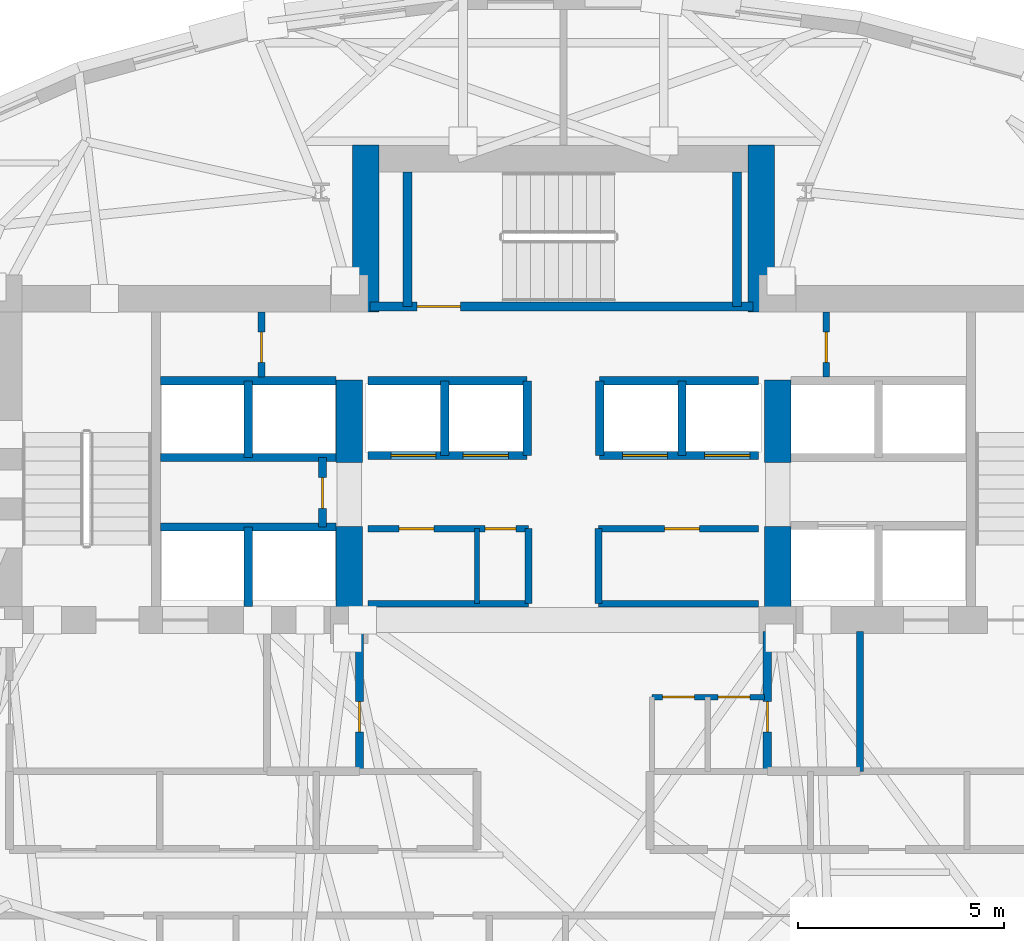
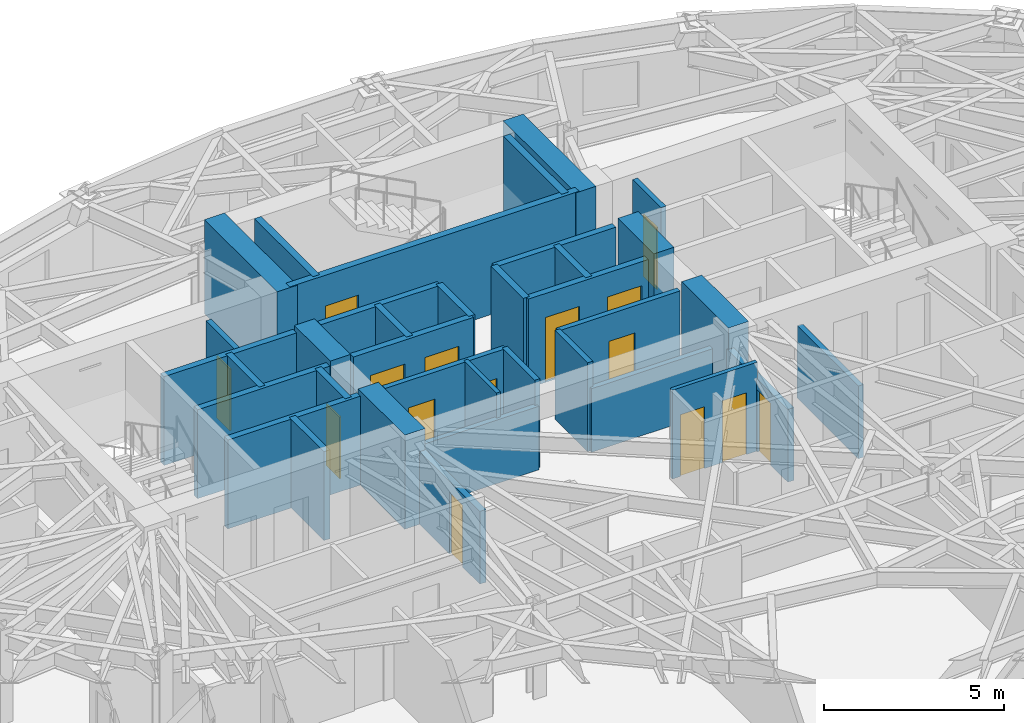
# One storey, part 8 of 15: 36 walls, 15 doors, 15 openings.
"""IFC4 building model written with IfcOpenShell, lengths in metres."""

from ifc_helpers import new_model, si_unit, direction, frame, frame_2d, origin, place, context, subcontext, project, spatial, rectangle, extrude, material, layer, layer_set, type_object, element, fill, save


model = new_model("IFC4")

# Units and contexts
model_context = context("Model", 3, precision=1e-05, world=origin(), true_north=direction((0.0, 1.0)))
body_context = subcontext(model_context, "Body", "Model", "MODEL_VIEW")
ifc_project = project(units=[si_unit("LENGTHUNIT", "METRE"), si_unit("AREAUNIT", "SQUARE_METRE"), si_unit("VOLUMEUNIT", "CUBIC_METRE"), si_unit("PLANEANGLEUNIT", "RADIAN"), si_unit("MASSUNIT", "GRAM", prefix="KILO")], contexts=[model_context])

# Site, building, storey
site_placement = place(None, origin())
site = spatial("IfcSite", under=ifc_project, at=site_placement, CompositionType="ELEMENT")
building_placement = place(site_placement, origin())
building = spatial("IfcBuilding", under=site, at=building_placement, Name="Keldmark Tower", CompositionType="ELEMENT")
storey_placement = place(building_placement, frame((0.0, 0.0, 163.0)))
storey = spatial("IfcBuildingStorey", under=building, at=storey_placement, Name="L44", CompositionType="ELEMENT", Elevation=163.0)

# Wall, openings, doors
ifc_material_1 = material(Name="Acoustic Gypsum Board Interior Partition", Category="gypsum")
ifc_layer_1 = layer(ifc_material_1, 0.1298828125)
ifc_layer_set_1 = layer_set([ifc_layer_1], Name="Acoustic Gypsum Board Interior Partition")
wall_type_1 = type_object("IfcWallType", Name="Interior Partition 130 mm", PredefinedType="PARTITIONING", material=ifc_layer_set_1)
wall_1_placement = place(storey_placement, frame((2.14990234375, -0.35009765625, 0.0), z_axis=(0.0, 0.0, 1.0), x_axis=(1.0, 0.0, 0.0)))
wall_1 = element("IfcWall", 1, at=wall_1_placement, inside=storey, type_object=wall_type_1, Name="L44 Interior Partition 130 mm CSC-E-N", PredefinedType="PARTITIONING", context=body_context, shape_type="SweptSolid", body=[
    extrude(rectangle(XDim=2.72998046875, YDim=0.1298828125, at=frame_2d((1.364990234375, 0.0))), origin(), (0.0, 0.0, 1.0), 3.02001953125),
])
opening_1_placement = place(wall_1_placement, frame((0.25, 0.0, 0.0)))
opening_1 = element("IfcOpeningElement", 2, at=opening_1_placement, cuts=wall_1, Name="Opening D-CL078", PredefinedType="OPENING", context=body_context, shape_type="SweptSolid", body=[
    extrude(rectangle(XDim=0.780029296875, YDim=2.10009765625, at=frame_2d((0.39013671875, 1.050048828125))), frame((0.0, 0.074951171875, 0.0), z_axis=(0.0, -1.0, 0.0), x_axis=(1.0, 0.0, 0.0)), (0.0, 0.0, 1.0), 0.14990234375),
])
opening_2_placement = place(wall_1_placement, frame((1.60009765625, 0.0, 0.0)))
opening_2 = element("IfcOpeningElement", 3, at=opening_2_placement, cuts=wall_1, Name="Opening D-CL078", PredefinedType="OPENING", context=body_context, shape_type="SweptSolid", body=[
    extrude(rectangle(XDim=0.780029296875, YDim=2.10009765625, at=frame_2d((0.39013671875, 1.050048828125))), frame((0.0, 0.074951171875, 0.0), z_axis=(0.0, -1.0, 0.0), x_axis=(1.0, 0.0, 0.0)), (0.0, 0.0, 1.0), 0.14990234375),
])
ifc_material_2 = material(Name="Flush Utility Closet Timber Door", Category="wood")
door_type_1 = type_object("IfcDoorType", Name="Closet Door 780x2100", OperationType="NOTDEFINED", PredefinedType="DOOR", material=ifc_material_2)
door_1_placement = place(opening_1_placement, origin())
door_1 = element("IfcDoor", 4, at=door_1_placement, inside=storey, type_object=door_type_1, Name="L44 Closet Door 780x2100 D-CSCE1-L44", OperationType="SINGLE_SWING_RIGHT", OverallHeight=2.10009765625, OverallWidth=0.780029296875, PredefinedType="DOOR", context=body_context, shape_type="SweptSolid", body=[
    extrude(rectangle(XDim=0.780029296875, YDim=2.10009765625, at=frame_2d((0.39013671875, 1.050048828125))), frame((0.0, 0.02490234375, 0.0), z_axis=(0.0, -1.0, 0.0), x_axis=(1.0, 0.0, 0.0)), (0.0, 0.0, 1.0), 0.050048828125),
])
fill(opening_1, door_1)
door_2_placement = place(opening_2_placement, origin())
door_2 = element("IfcDoor", 5, at=door_2_placement, inside=storey, type_object=door_type_1, Name="L44 Closet Door 780x2100 D-CSCE2-L44", OperationType="SINGLE_SWING_RIGHT", OverallHeight=2.10009765625, OverallWidth=0.780029296875, PredefinedType="DOOR", context=body_context, shape_type="SweptSolid", body=[
    extrude(rectangle(XDim=0.780029296875, YDim=2.10009765625, at=frame_2d((0.39013671875, 1.050048828125))), frame((0.0, 0.02490234375, 0.0), z_axis=(0.0, -1.0, 0.0), x_axis=(1.0, 0.0, 0.0)), (0.0, 0.0, 1.0), 0.050048828125),
])
fill(opening_2, door_2)

# Walls
wall_2_placement = place(storey_placement, frame((-2.10009765625, 1.919921875, 0.0), z_axis=(0.0, 0.0, 1.0), x_axis=(0.0, 1.0, 0.0)))
element("IfcWall", 6, at=wall_2_placement, inside=storey, type_object=wall_type_1, Name="L44 Interior Partition 130 mm REC-LW-M", PredefinedType="PARTITIONING", context=body_context, shape_type="SweptSolid", body=[
    extrude(rectangle(XDim=1.820068359375, YDim=0.1298828125, at=frame_2d((0.91015625, 0.0))), origin(), (0.0, 0.0, 1.0), 3.02001953125),
])
ifc_material_3 = material(Name="Type X Fire-Rated Gypsum Partition Assembly", Category="gypsum")
ifc_layer_2 = layer(ifc_material_3, 0.1650390625)
ifc_layer_set_2 = layer_set([ifc_layer_2], Name="Type X Fire-Rated Gypsum Partition Assembly")
wall_type_2 = type_object("IfcWallType", Name="Rated Partition 165 mm", PredefinedType="PARTITIONING", material=ifc_layer_set_2)
wall_3_placement = place(storey_placement, frame((7.199951171875, -2.14990234375, 0.0), z_axis=(0.0, 0.0, 1.0), x_axis=(0.0, 1.0, 0.0)))
element("IfcWall", 7, at=wall_3_placement, inside=storey, type_object=wall_type_2, Name="L44 Rated Partition 165 mm FSAE-E-W", PredefinedType="PARTITIONING", context=body_context, shape_type="SweptSolid", body=[
    extrude(rectangle(XDim=3.39990234375, YDim=0.1650390625, at=frame_2d((1.699951171875, 0.0))), origin(), (0.0, 0.0, 1.0), 2.472900390625),
])
wall_4_placement = place(storey_placement, frame((-4.739990234375, 1.919921875, 0.0), z_axis=(0.0, 0.0, 1.0), x_axis=(1.0, 0.0, 0.0)))
element("IfcWall", 8, at=wall_4_placement, inside=storey, type_object=wall_type_2, Name="L44 Rated Partition 165 mm REC-LW-S", PredefinedType="PARTITIONING", context=body_context, shape_type="SweptSolid", body=[
    extrude(rectangle(XDim=3.889892578125, YDim=0.1650390625, at=frame_2d((1.94482421875, 0.0))), origin(), (0.0, 0.0, 1.0), 2.159912109375),
])

# Wall, openings, doors
wall_5_placement = place(storey_placement, frame((-4.739990234375, 3.739990234375, 0.0), z_axis=(0.0, 0.0, 1.0), x_axis=(1.0, 0.0, 0.0)))
wall_5 = element("IfcWall", 9, at=wall_5_placement, inside=storey, type_object=wall_type_2, Name="L44 Rated Partition 165 mm REC-LW-N", PredefinedType="PARTITIONING", context=body_context, shape_type="SweptSolid", body=[
    extrude(rectangle(XDim=3.889892578125, YDim=0.1650390625, at=frame_2d((1.94482421875, 0.0))), origin(), (0.0, 0.0, 1.0), 3.02001953125),
])
opening_3_placement = place(wall_5_placement, frame((0.75, 0.0, 0.0)))
opening_3 = element("IfcOpeningElement", 10, at=opening_3_placement, cuts=wall_5, Name="Opening D-SV085", PredefinedType="OPENING", context=body_context, shape_type="SweptSolid", body=[
    extrude(rectangle(XDim=0.85009765625, YDim=2.10009765625, at=frame_2d((0.425048828125, 1.050048828125))), frame((0.0, 0.092529296875, 0.0), z_axis=(0.0, -1.0, 0.0), x_axis=(1.0, 0.0, 0.0)), (0.0, 0.0, 1.0), 0.18505859375),
])
opening_4_placement = place(wall_5_placement, frame((2.840087890625, 0.0, 0.0)))
opening_4 = element("IfcOpeningElement", 11, at=opening_4_placement, cuts=wall_5, Name="Opening D-RS075", PredefinedType="OPENING", context=body_context, shape_type="SweptSolid", body=[
    extrude(rectangle(XDim=0.75, YDim=2.10009765625, at=frame_2d((0.375, 1.050048828125))), frame((0.0, 0.092529296875, 0.0), z_axis=(0.0, -1.0, 0.0), x_axis=(1.0, 0.0, 0.0)), (0.0, 0.0, 1.0), 0.18505859375),
])
ifc_material_4 = material(Name="Galvanized Fire-Rated Access Leaf", Category="metal")
door_type_2 = type_object("IfcDoorType", Name="Riser Access Door 750x2100", OperationType="NOTDEFINED", PredefinedType="DOOR", material=ifc_material_4)
door_3_placement = place(opening_4_placement, origin())
door_3 = element("IfcDoor", 12, at=door_3_placement, inside=storey, type_object=door_type_2, Name="L44 Riser Access Door 750x2100 D-RECLW2-L44", OperationType="SINGLE_SWING_RIGHT", OverallHeight=2.10009765625, OverallWidth=0.75, PredefinedType="DOOR", context=body_context, shape_type="SweptSolid", body=[
    extrude(rectangle(XDim=0.75, YDim=2.10009765625, at=frame_2d((0.375, 1.050048828125))), frame((0.0, 0.02490234375, 0.0), z_axis=(0.0, -1.0, 0.0), x_axis=(1.0, 0.0, 0.0)), (0.0, 0.0, 1.0), 0.050048828125),
])
fill(opening_4, door_3)
ifc_material_5 = material(Name="Painted Hollow Metal Door Assembly", Category="metal")
door_type_3 = type_object("IfcDoorType", Name="Service Door 850x2100", OperationType="NOTDEFINED", PredefinedType="DOOR", material=ifc_material_5)
door_4_placement = place(opening_3_placement, origin())
door_4 = element("IfcDoor", 13, at=door_4_placement, inside=storey, type_object=door_type_3, Name="L44 Service Door 850x2100 D-RECLW1-L44", OperationType="SINGLE_SWING_LEFT", OverallHeight=2.10009765625, OverallWidth=0.85009765625, PredefinedType="DOOR", context=body_context, shape_type="SweptSolid", body=[
    extrude(rectangle(XDim=0.85009765625, YDim=2.10009765625, at=frame_2d((0.425048828125, 1.050048828125))), frame((0.0, 0.02490234375, 0.0), z_axis=(0.0, -1.0, 0.0), x_axis=(1.0, 0.0, 0.0)), (0.0, 0.0, 1.0), 0.050048828125),
])
fill(opening_3, door_4)

# Walls
wall_6_placement = place(storey_placement, frame((-0.85009765625, 1.919921875, 0.0), z_axis=(0.0, 0.0, 1.0), x_axis=(0.0, 1.0, 0.0)))
element("IfcWall", 14, at=wall_6_placement, inside=storey, type_object=wall_type_2, Name="L44 Rated Partition 165 mm REC-LW-E", PredefinedType="PARTITIONING", context=body_context, shape_type="SweptSolid", body=[
    extrude(rectangle(XDim=1.820068359375, YDim=0.1650390625, at=frame_2d((0.91015625, 0.0))), origin(), (0.0, 0.0, 1.0), 3.02001953125),
])
wall_7_placement = place(storey_placement, frame((0.85009765625, 1.919921875, 0.0), z_axis=(0.0, 0.0, 1.0), x_axis=(1.0, 0.0, 0.0)))
element("IfcWall", 15, at=wall_7_placement, inside=storey, type_object=wall_type_2, Name="L44 Rated Partition 165 mm REC-LE-S", PredefinedType="PARTITIONING", context=body_context, shape_type="SweptSolid", body=[
    extrude(rectangle(XDim=3.889892578125, YDim=0.1650390625, at=frame_2d((1.94482421875, 0.0))), origin(), (0.0, 0.0, 1.0), 2.159912109375),
])

# Wall, opening, door
wall_8_placement = place(storey_placement, frame((0.85009765625, 3.739990234375, 0.0), z_axis=(0.0, 0.0, 1.0), x_axis=(1.0, 0.0, 0.0)))
wall_8 = element("IfcWall", 16, at=wall_8_placement, inside=storey, type_object=wall_type_2, Name="L44 Rated Partition 165 mm REC-LE-N", PredefinedType="PARTITIONING", context=body_context, shape_type="SweptSolid", body=[
    extrude(rectangle(XDim=3.889892578125, YDim=0.1650390625, at=frame_2d((1.94482421875, 0.0))), origin(), (0.0, 0.0, 1.0), 3.02001953125),
])
opening_5_placement = place(wall_8_placement, frame((1.60009765625, 0.0, 0.0)))
opening_5 = element("IfcOpeningElement", 17, at=opening_5_placement, cuts=wall_8, Name="Opening D-SV085", PredefinedType="OPENING", context=body_context, shape_type="SweptSolid", body=[
    extrude(rectangle(XDim=0.85009765625, YDim=2.10009765625, at=frame_2d((0.425048828125, 1.050048828125))), frame((0.0, 0.092529296875, 0.0), z_axis=(0.0, -1.0, 0.0), x_axis=(1.0, 0.0, 0.0)), (0.0, 0.0, 1.0), 0.18505859375),
])
door_5_placement = place(opening_5_placement, origin())
door_5 = element("IfcDoor", 18, at=door_5_placement, inside=storey, type_object=door_type_3, Name="L44 Service Door 850x2100 D-RECLE1-L44", OperationType="SINGLE_SWING_LEFT", OverallHeight=2.10009765625, OverallWidth=0.85009765625, PredefinedType="DOOR", context=body_context, shape_type="SweptSolid", body=[
    extrude(rectangle(XDim=0.85009765625, YDim=2.10009765625, at=frame_2d((0.425048828125, 1.050048828125))), frame((0.0, 0.02490234375, 0.0), z_axis=(0.0, -1.0, 0.0), x_axis=(1.0, 0.0, 0.0)), (0.0, 0.0, 1.0), 0.050048828125),
])
fill(opening_5, door_5)

# Wall
wall_9_placement = place(storey_placement, frame((0.85009765625, 1.919921875, 0.0), z_axis=(0.0, 0.0, 1.0), x_axis=(0.0, 1.0, 0.0)))
element("IfcWall", 19, at=wall_9_placement, inside=storey, type_object=wall_type_2, Name="L44 Rated Partition 165 mm REC-LE-W", PredefinedType="PARTITIONING", context=body_context, shape_type="SweptSolid", body=[
    extrude(rectangle(XDim=1.820068359375, YDim=0.1650390625, at=frame_2d((0.91015625, 0.0))), origin(), (0.0, 0.0, 1.0), 3.02001953125),
])

# Wall, opening, door
wall_10_placement = place(storey_placement, frame((-7.330078125, 7.419921875, 0.0), z_axis=(0.0, 0.0, 1.0), x_axis=(0.0, 1.0, 0.0)))
wall_10 = element("IfcWall", 20, at=wall_10_placement, inside=storey, type_object=wall_type_2, Name="L44 Rated Partition 165 mm CS-NW-E", PredefinedType="PARTITIONING", context=body_context, shape_type="SweptSolid", body=[
    extrude(rectangle(XDim=1.580078125, YDim=0.1650390625, at=frame_2d((0.7900390625, 0.0))), origin(), (0.0, 0.0, 1.0), 3.02001953125),
])
opening_6_placement = place(wall_10_placement, frame((0.35009765625, 0.0, 0.0)))
opening_6 = element("IfcOpeningElement", 21, at=opening_6_placement, cuts=wall_10, Name="Opening D-RS075", PredefinedType="OPENING", context=body_context, shape_type="SweptSolid", body=[
    extrude(rectangle(XDim=0.75, YDim=2.10009765625, at=frame_2d((0.375, 1.050048828125))), frame((0.0, 0.092529296875, 0.0), z_axis=(0.0, -1.0, 0.0), x_axis=(1.0, 0.0, 0.0)), (0.0, 0.0, 1.0), 0.18505859375),
])
door_6_placement = place(opening_6_placement, origin())
door_6 = element("IfcDoor", 22, at=door_6_placement, inside=storey, type_object=door_type_2, Name="L44 Riser Access Door 750x2100 D-CSNW1-L44", OperationType="SINGLE_SWING_RIGHT", OverallHeight=2.10009765625, OverallWidth=0.75, PredefinedType="DOOR", context=body_context, shape_type="SweptSolid", body=[
    extrude(rectangle(XDim=0.75, YDim=2.10009765625, at=frame_2d((0.375, 1.050048828125))), frame((0.0, 0.02490234375, 0.0), z_axis=(0.0, -1.0, 0.0), x_axis=(1.0, 0.0, 0.0)), (0.0, 0.0, 1.0), 0.050048828125),
])
fill(opening_6, door_6)

wall_11_placement = place(storey_placement, frame((6.3798828125, 7.419921875, 0.0), z_axis=(0.0, 0.0, 1.0), x_axis=(0.0, 1.0, 0.0)))
wall_11 = element("IfcWall", 23, at=wall_11_placement, inside=storey, type_object=wall_type_2, Name="L44 Rated Partition 165 mm CS-NE-W", PredefinedType="PARTITIONING", context=body_context, shape_type="SweptSolid", body=[
    extrude(rectangle(XDim=1.580078125, YDim=0.1650390625, at=frame_2d((0.7900390625, 0.0))), origin(), (0.0, 0.0, 1.0), 3.02001953125),
])
opening_7_placement = place(wall_11_placement, frame((0.35009765625, 0.0, 0.0)))
opening_7 = element("IfcOpeningElement", 24, at=opening_7_placement, cuts=wall_11, Name="Opening D-RS075", PredefinedType="OPENING", context=body_context, shape_type="SweptSolid", body=[
    extrude(rectangle(XDim=0.75, YDim=2.10009765625, at=frame_2d((0.375, 1.050048828125))), frame((0.0, 0.092529296875, 0.0), z_axis=(0.0, -1.0, 0.0), x_axis=(1.0, 0.0, 0.0)), (0.0, 0.0, 1.0), 0.18505859375),
])
door_7_placement = place(opening_7_placement, origin())
door_7 = element("IfcDoor", 25, at=door_7_placement, inside=storey, type_object=door_type_2, Name="L44 Riser Access Door 750x2100 D-CSNE1-L44", OperationType="SINGLE_SWING_LEFT", OverallHeight=2.10009765625, OverallWidth=0.75, PredefinedType="DOOR", context=body_context, shape_type="SweptSolid", body=[
    extrude(rectangle(XDim=0.75, YDim=2.10009765625, at=frame_2d((0.375, 1.050048828125))), frame((0.0, 0.02490234375, 0.0), z_axis=(0.0, -1.0, 0.0), x_axis=(1.0, 0.0, 0.0)), (0.0, 0.0, 1.0), 0.050048828125),
])
fill(opening_7, door_7)

ifc_material_6 = material(Name="Fire-Resistant Type X Gypsum Shaftliner Coreboard", Category="gypsum")
ifc_layer_3 = layer(ifc_material_6, 0.199951171875)
ifc_layer_set_3 = layer_set([ifc_layer_3], Name="Fire-Resistant Type X Gypsum Shaftliner Coreboard")
wall_type_3 = type_object("IfcWallType", Name="Shaft Wall 200 mm", PredefinedType="SOLIDWALL", material=ifc_layer_set_3)
wall_12_placement = place(storey_placement, frame((-4.949951171875, -2.14990234375, 0.0), z_axis=(0.0, 0.0, 1.0), x_axis=(0.0, 1.0, 0.0)))
wall_12 = element("IfcWall", 26, at=wall_12_placement, inside=storey, type_object=wall_type_3, Name="L44 Shaft Wall 200 mm RIS-SW-E", PredefinedType="SOLIDWALL", context=body_context, shape_type="SweptSolid", body=[
    extrude(rectangle(XDim=3.39990234375, YDim=0.199951171875, at=frame_2d((1.699951171875, 0.0))), origin(), (0.0, 0.0, 1.0), 2.472900390625),
])
opening_8_placement = place(wall_12_placement, frame((0.949951171875, 0.0, 0.0)))
opening_8 = element("IfcOpeningElement", 27, at=opening_8_placement, cuts=wall_12, Name="Opening D-RS075", PredefinedType="OPENING", context=body_context, shape_type="SweptSolid", body=[
    extrude(rectangle(XDim=0.75, YDim=2.10009765625, at=frame_2d((0.375, 1.050048828125))), frame((0.0, 0.10986328125, 0.0), z_axis=(0.0, -1.0, 0.0), x_axis=(1.0, 0.0, 0.0)), (0.0, 0.0, 1.0), 0.219970703125),
])
door_8_placement = place(opening_8_placement, origin())
door_8 = element("IfcDoor", 28, at=door_8_placement, inside=storey, type_object=door_type_2, Name="L44 Riser Access Door 750x2100 D-RISSW-L44", OperationType="SINGLE_SWING_RIGHT", OverallHeight=2.10009765625, OverallWidth=0.75, PredefinedType="DOOR", context=body_context, shape_type="SweptSolid", body=[
    extrude(rectangle(XDim=0.75, YDim=2.10009765625, at=frame_2d((0.375, 1.050048828125))), frame((0.0, 0.02490234375, 0.0), z_axis=(0.0, -1.0, 0.0), x_axis=(1.0, 0.0, 0.0)), (0.0, 0.0, 1.0), 0.050048828125),
])
fill(opening_8, door_8)

wall_13_placement = place(storey_placement, frame((4.949951171875, -2.14990234375, 0.0), z_axis=(0.0, 0.0, 1.0), x_axis=(0.0, 1.0, 0.0)))
wall_13 = element("IfcWall", 29, at=wall_13_placement, inside=storey, type_object=wall_type_3, Name="L44 Shaft Wall 200 mm RIS-SE-W", PredefinedType="SOLIDWALL", context=body_context, shape_type="SweptSolid", body=[
    extrude(rectangle(XDim=3.39990234375, YDim=0.199951171875, at=frame_2d((1.699951171875, 0.0))), origin(), (0.0, 0.0, 1.0), 2.472900390625),
])
opening_9_placement = place(wall_13_placement, frame((0.949951171875, 0.0, 0.0)))
opening_9 = element("IfcOpeningElement", 30, at=opening_9_placement, cuts=wall_13, Name="Opening D-RS075", PredefinedType="OPENING", context=body_context, shape_type="SweptSolid", body=[
    extrude(rectangle(XDim=0.75, YDim=2.10009765625, at=frame_2d((0.375, 1.050048828125))), frame((0.0, 0.10986328125, 0.0), z_axis=(0.0, -1.0, 0.0), x_axis=(1.0, 0.0, 0.0)), (0.0, 0.0, 1.0), 0.219970703125),
])
door_9_placement = place(opening_9_placement, origin())
door_9 = element("IfcDoor", 31, at=door_9_placement, inside=storey, type_object=door_type_2, Name="L44 Riser Access Door 750x2100 D-RISSE-L44", OperationType="SINGLE_SWING_LEFT", OverallHeight=2.10009765625, OverallWidth=0.75, PredefinedType="DOOR", context=body_context, shape_type="SweptSolid", body=[
    extrude(rectangle(XDim=0.75, YDim=2.10009765625, at=frame_2d((0.375, 1.050048828125))), frame((0.0, 0.02490234375, 0.0), z_axis=(0.0, -1.0, 0.0), x_axis=(1.0, 0.0, 0.0)), (0.0, 0.0, 1.0), 0.050048828125),
])
fill(opening_9, door_9)

# Walls
wall_14_placement = place(storey_placement, frame((-9.780029296875, 3.780029296875, 0.0), z_axis=(0.0, 0.0, 1.0), x_axis=(1.0, 0.0, 0.0)))
element("IfcWall", 32, at=wall_14_placement, inside=storey, type_object=wall_type_3, Name="L44 Shaft Wall 200 mm HW-W-S", PredefinedType="SOLIDWALL", context=body_context, shape_type="SweptSolid", body=[
    extrude(rectangle(XDim=4.255126953125, YDim=0.199951171875, at=frame_2d((2.12744140625, 0.0))), origin(), (0.0, 0.0, 1.0), 3.02001953125),
])
wall_15_placement = place(storey_placement, frame((-7.64990234375, 1.85009765625, 0.0), z_axis=(0.0, 0.0, 1.0), x_axis=(0.0, 1.0, 0.0)))
element("IfcWall", 33, at=wall_15_placement, inside=storey, type_object=wall_type_3, Name="L44 Shaft Wall 200 mm HW-W-M", PredefinedType="SOLIDWALL", context=body_context, shape_type="SweptSolid", body=[
    extrude(rectangle(XDim=1.929931640625, YDim=0.199951171875, at=frame_2d((0.96484375, 0.0))), origin(), (0.0, 0.0, 1.0), 3.02001953125),
])
for number, where, z_axis, x_axis, name in (
    (34, (-9.780029296875, 5.469970703125, 0.0), (0.0, 0.0, 1.0), (1.0, 0.0, 0.0), "L44 Shaft Wall 200 mm HW-W-N"),
    (35, (-9.780029296875, 7.330078125, 0.0), (0.0, 0.0, 1.0), (1.0, 0.0, 0.0), "L44 Shaft Wall 200 mm HW-W-TOP"),
):
    element("IfcWall", number, at=place(storey_placement, frame(where, z_axis=z_axis, x_axis=x_axis)), inside=storey, type_object=wall_type_3, Name=name, PredefinedType="SOLIDWALL", context=body_context, shape_type="SweptSolid", body=[
        extrude(rectangle(XDim=4.255126953125, YDim=0.199951171875, at=frame_2d((2.12744140625, 0.0))), origin(), (0.0, 0.0, 1.0), 3.02001953125),
    ])
wall_16_placement = place(storey_placement, frame((-7.64990234375, 5.469970703125, 0.0), z_axis=(0.0, 0.0, 1.0), x_axis=(0.0, 1.0, 0.0)))
element("IfcWall", 36, at=wall_16_placement, inside=storey, type_object=wall_type_3, Name="L44 Shaft Wall 200 mm HW-W-NM", PredefinedType="SOLIDWALL", context=body_context, shape_type="SweptSolid", body=[
    extrude(rectangle(XDim=1.860107421875, YDim=0.199951171875, at=frame_2d((0.93017578125, 0.0))), origin(), (0.0, 0.0, 1.0), 3.02001953125),
])

# Wall, opening, door
wall_17_placement = place(storey_placement, frame((-5.85009765625, 3.780029296875, 0.0), z_axis=(0.0, 0.0, 1.0), x_axis=(0.0, 1.0, 0.0)))
wall_17 = element("IfcWall", 37, at=wall_17_placement, inside=storey, type_object=wall_type_3, Name="L44 Shaft Wall 200 mm HW-W-CLOSE", PredefinedType="SOLIDWALL", context=body_context, shape_type="SweptSolid", body=[
    extrude(rectangle(XDim=1.68994140625, YDim=0.199951171875, at=frame_2d((0.844970703125, 0.0))), origin(), (0.0, 0.0, 1.0), 3.02001953125),
])
opening_10_placement = place(wall_17_placement, frame((0.449951171875, 0.0, 0.0)))
opening_10 = element("IfcOpeningElement", 38, at=opening_10_placement, cuts=wall_17, Name="Opening D-RS075", PredefinedType="OPENING", context=body_context, shape_type="SweptSolid", body=[
    extrude(rectangle(XDim=0.75, YDim=2.10009765625, at=frame_2d((0.375, 1.050048828125))), frame((0.0, 0.10986328125, 0.0), z_axis=(0.0, -1.0, 0.0), x_axis=(1.0, 0.0, 0.0)), (0.0, 0.0, 1.0), 0.219970703125),
])
door_10_placement = place(opening_10_placement, origin())
door_10 = element("IfcDoor", 39, at=door_10_placement, inside=storey, type_object=door_type_2, Name="L44 Riser Access Door 750x2100 D-RISHW-L44", OperationType="SINGLE_SWING_RIGHT", OverallHeight=2.10009765625, OverallWidth=0.75, PredefinedType="DOOR", context=body_context, shape_type="SweptSolid", body=[
    extrude(rectangle(XDim=0.75, YDim=2.10009765625, at=frame_2d((0.375, 1.050048828125))), frame((0.0, 0.02490234375, 0.0), z_axis=(0.0, -1.0, 0.0), x_axis=(1.0, 0.0, 0.0)), (0.0, 0.0, 1.0), 0.050048828125),
])
fill(opening_10, door_10)

# Wall, openings, doors
wall_18_placement = place(storey_placement, frame((-4.739990234375, 5.52001953125, 0.0), z_axis=(0.0, 0.0, 1.0), x_axis=(1.0, 0.0, 0.0)))
wall_18 = element("IfcWall", 40, at=wall_18_placement, inside=storey, type_object=wall_type_3, Name="L44 Shaft Wall 200 mm MID-S-W", PredefinedType="SOLIDWALL", context=body_context, shape_type="SweptSolid", body=[
    extrude(rectangle(XDim=3.860107421875, YDim=0.199951171875, at=frame_2d((1.93017578125, 0.0))), origin(), (0.0, 0.0, 1.0), 3.02001953125),
])
opening_11_placement = place(wall_18_placement, frame((0.550048828125, 0.0, 0.0)))
opening_11 = element("IfcOpeningElement", 41, at=opening_11_placement, cuts=wall_18, Name="Opening LD-110", PredefinedType="OPENING", context=body_context, shape_type="SweptSolid", body=[
    extrude(rectangle(XDim=1.10009765625, YDim=2.199951171875, at=frame_2d((0.550048828125, 1.10009765625))), frame((0.0, 0.10986328125, 0.0), z_axis=(0.0, -1.0, 0.0), x_axis=(1.0, 0.0, 0.0)), (0.0, 0.0, 1.0), 0.219970703125),
])
opening_12_placement = place(wall_18_placement, frame((2.300048828125, 0.0, 0.0)))
opening_12 = element("IfcOpeningElement", 42, at=opening_12_placement, cuts=wall_18, Name="Opening LD-110", PredefinedType="OPENING", context=body_context, shape_type="SweptSolid", body=[
    extrude(rectangle(XDim=1.10009765625, YDim=2.199951171875, at=frame_2d((0.550048828125, 1.10009765625))), frame((0.0, 0.10986328125, 0.0), z_axis=(0.0, -1.0, 0.0), x_axis=(1.0, 0.0, 0.0)), (0.0, 0.0, 1.0), 0.219970703125),
])
ifc_material_7 = material(Name="Brushed Bronze Hoistway Sliding Leaf", Category="metal")
door_type_4 = type_object("IfcDoorType", Name="Lift Landing Sliding Door 1100x2200", OperationType="SLIDING_TO_LEFT", PredefinedType="DOOR", material=ifc_material_7)
door_11_placement = place(opening_11_placement, origin())
door_11 = element("IfcDoor", 43, at=door_11_placement, inside=storey, type_object=door_type_4, Name="L44 Lift Landing Sliding Door 1100x2200 LD-EL-M1-L44", OperationType="SLIDING_TO_LEFT", OverallHeight=2.199951171875, OverallWidth=1.10009765625, PredefinedType="DOOR", context=body_context, shape_type="SweptSolid", body=[
    extrude(rectangle(XDim=1.10009765625, YDim=2.199951171875, at=frame_2d((0.550048828125, 1.10009765625))), frame((0.0, 0.02490234375, 0.0), z_axis=(0.0, -1.0, 0.0), x_axis=(1.0, 0.0, 0.0)), (0.0, 0.0, 1.0), 0.050048828125),
])
fill(opening_11, door_11)
door_12_placement = place(opening_12_placement, origin())
door_12 = element("IfcDoor", 44, at=door_12_placement, inside=storey, type_object=door_type_4, Name="L44 Lift Landing Sliding Door 1100x2200 LD-EL-M2-L44", OperationType="SLIDING_TO_LEFT", OverallHeight=2.199951171875, OverallWidth=1.10009765625, PredefinedType="DOOR", context=body_context, shape_type="SweptSolid", body=[
    extrude(rectangle(XDim=1.10009765625, YDim=2.199951171875, at=frame_2d((0.550048828125, 1.10009765625))), frame((0.0, 0.02490234375, 0.0), z_axis=(0.0, -1.0, 0.0), x_axis=(1.0, 0.0, 0.0)), (0.0, 0.0, 1.0), 0.050048828125),
])
fill(opening_12, door_12)

wall_19_placement = place(storey_placement, frame((0.8798828125, 5.52001953125, 0.0), z_axis=(0.0, 0.0, 1.0), x_axis=(1.0, 0.0, 0.0)))
wall_19 = element("IfcWall", 45, at=wall_19_placement, inside=storey, type_object=wall_type_3, Name="L44 Shaft Wall 200 mm MID-S-E", PredefinedType="SOLIDWALL", context=body_context, shape_type="SweptSolid", body=[
    extrude(rectangle(XDim=3.860107421875, YDim=0.199951171875, at=frame_2d((1.93017578125, 0.0))), origin(), (0.0, 0.0, 1.0), 3.02001953125),
])
opening_13_placement = place(wall_19_placement, frame((0.550048828125, 0.0, 0.0)))
opening_13 = element("IfcOpeningElement", 46, at=opening_13_placement, cuts=wall_19, Name="Opening LD-110", PredefinedType="OPENING", context=body_context, shape_type="SweptSolid", body=[
    extrude(rectangle(XDim=1.10009765625, YDim=2.199951171875, at=frame_2d((0.550048828125, 1.10009765625))), frame((0.0, 0.10986328125, 0.0), z_axis=(0.0, -1.0, 0.0), x_axis=(1.0, 0.0, 0.0)), (0.0, 0.0, 1.0), 0.219970703125),
])
opening_14_placement = place(wall_19_placement, frame((2.550048828125, 0.0, 0.0)))
opening_14 = element("IfcOpeningElement", 47, at=opening_14_placement, cuts=wall_19, Name="Opening LD-110", PredefinedType="OPENING", context=body_context, shape_type="SweptSolid", body=[
    extrude(rectangle(XDim=1.10009765625, YDim=2.199951171875, at=frame_2d((0.550048828125, 1.10009765625))), frame((0.0, 0.10986328125, 0.0), z_axis=(0.0, -1.0, 0.0), x_axis=(1.0, 0.0, 0.0)), (0.0, 0.0, 1.0), 0.219970703125),
])
door_13_placement = place(opening_13_placement, origin())
door_13 = element("IfcDoor", 48, at=door_13_placement, inside=storey, type_object=door_type_4, Name="L44 Lift Landing Sliding Door 1100x2200 LD-EL-M3-L44", OperationType="SLIDING_TO_LEFT", OverallHeight=2.199951171875, OverallWidth=1.10009765625, PredefinedType="DOOR", context=body_context, shape_type="SweptSolid", body=[
    extrude(rectangle(XDim=1.10009765625, YDim=2.199951171875, at=frame_2d((0.550048828125, 1.10009765625))), frame((0.0, 0.02490234375, 0.0), z_axis=(0.0, -1.0, 0.0), x_axis=(1.0, 0.0, 0.0)), (0.0, 0.0, 1.0), 0.050048828125),
])
fill(opening_13, door_13)
door_14_placement = place(opening_14_placement, origin())
door_14 = element("IfcDoor", 49, at=door_14_placement, inside=storey, type_object=door_type_4, Name="L44 Lift Landing Sliding Door 1100x2200 LD-EL-M4-L44", OperationType="SLIDING_TO_LEFT", OverallHeight=2.199951171875, OverallWidth=1.10009765625, PredefinedType="DOOR", context=body_context, shape_type="SweptSolid", body=[
    extrude(rectangle(XDim=1.10009765625, YDim=2.199951171875, at=frame_2d((0.550048828125, 1.10009765625))), frame((0.0, 0.02490234375, 0.0), z_axis=(0.0, -1.0, 0.0), x_axis=(1.0, 0.0, 0.0)), (0.0, 0.0, 1.0), 0.050048828125),
])
fill(opening_14, door_14)

# Walls
for number, where, z_axis, x_axis, name in (
    (50, (-4.739990234375, 7.330078125, 0.0), (0.0, 0.0, 1.0), (1.0, 0.0, 0.0), "L44 Shaft Wall 200 mm MID-N-W"),
    (51, (0.8798828125, 7.330078125, 0.0), (0.0, 0.0, 1.0), (1.0, 0.0, 0.0), "L44 Shaft Wall 200 mm MID-N-E"),
):
    element("IfcWall", number, at=place(storey_placement, frame(where, z_axis=z_axis, x_axis=x_axis)), inside=storey, type_object=wall_type_3, Name=name, PredefinedType="SOLIDWALL", context=body_context, shape_type="SweptSolid", body=[
        extrude(rectangle(XDim=3.860107421875, YDim=0.199951171875, at=frame_2d((1.93017578125, 0.0))), origin(), (0.0, 0.0, 1.0), 3.02001953125),
    ])
for number, where, z_axis, x_axis, name in (
    (52, (-2.8798828125, 5.52001953125, 0.0), (0.0, 0.0, 1.0), (0.0, 1.0, 0.0), "L44 Shaft Wall 200 mm MID-M-W"),
    (53, (2.8798828125, 5.52001953125, 0.0), (0.0, 0.0, 1.0), (0.0, 1.0, 0.0), "L44 Shaft Wall 200 mm MID-M-E"),
    (54, (-0.8798828125, 5.52001953125, 0.0), (0.0, 0.0, 1.0), (0.0, 1.0, 0.0), "L44 Shaft Wall 200 mm MID-C-W"),
    (55, (0.8798828125, 5.52001953125, 0.0), (0.0, 0.0, 1.0), (0.0, 1.0, 0.0), "L44 Shaft Wall 200 mm MID-C-E"),
):
    element("IfcWall", number, at=place(storey_placement, frame(where, z_axis=z_axis, x_axis=x_axis)), inside=storey, type_object=wall_type_3, Name=name, PredefinedType="SOLIDWALL", context=body_context, shape_type="SweptSolid", body=[
        extrude(rectangle(XDim=1.81005859375, YDim=0.199951171875, at=frame_2d((0.905029296875, 0.0))), origin(), (0.0, 0.0, 1.0), 3.02001953125),
    ])

# Wall, opening, door
ifc_material_8 = material(Name="Concrete C50/60", Category="concrete")
ifc_layer_4 = layer(ifc_material_8, 0.219970703125)
ifc_layer_set_4 = layer_set([ifc_layer_4], Name="Concrete C50/60")
wall_type_4 = type_object("IfcWallType", Name="Stair Core Shear Wall 220 mm", PredefinedType="SHEAR", material=ifc_layer_set_4)
wall_20_placement = place(storey_placement, frame((-4.699951171875, 9.139892578125, 0.0), z_axis=(0.0, 0.0, 1.0), x_axis=(1.0, 0.0, 0.0)))
wall_20 = element("IfcWall", 56, at=wall_20_placement, inside=storey, type_object=wall_type_4, Name="L44 Central Stair Core South Shear Wall", PredefinedType="SHEAR", context=body_context, shape_type="SweptSolid", body=[
    extrude(rectangle(XDim=9.300048828125, YDim=0.219970703125, at=frame_2d((4.64990234375, 0.0))), origin(), (0.0, 0.0, 1.0), 3.199951171875),
])
opening_15_placement = place(wall_20_placement, frame((1.14990234375, 0.0, 0.0)))
opening_15 = element("IfcOpeningElement", 57, at=opening_15_placement, cuts=wall_20, Name="Opening D-ST105", PredefinedType="OPENING", context=body_context, shape_type="SweptSolid", body=[
    extrude(rectangle(XDim=1.050048828125, YDim=2.14990234375, at=frame_2d((0.52490234375, 1.074951171875))), frame((0.0, 0.119873046875, 0.0), z_axis=(0.0, -1.0, 0.0), x_axis=(1.0, 0.0, 0.0)), (0.0, 0.0, 1.0), 0.239990234375),
])
ifc_material_9 = material(Name="Hollow Metal Fire-Rated Door Assembly", Category="metal")
door_type_5 = type_object("IfcDoorType", Name="Stair Fire Door 1050x2150", OperationType="NOTDEFINED", PredefinedType="DOOR", material=ifc_material_9)
door_15_placement = place(opening_15_placement, origin())
door_15 = element("IfcDoor", 58, at=door_15_placement, inside=storey, type_object=door_type_5, Name="L44 Stair Fire Door 1050x2150 D-ST3-L44", OperationType="SINGLE_SWING_RIGHT", OverallHeight=2.14990234375, OverallWidth=1.050048828125, PredefinedType="DOOR", context=body_context, shape_type="SweptSolid", body=[
    extrude(rectangle(XDim=1.050048828125, YDim=2.14990234375, at=frame_2d((0.52490234375, 1.074951171875))), frame((0.0, 0.02490234375, 0.0), z_axis=(0.0, -1.0, 0.0), x_axis=(1.0, 0.0, 0.0)), (0.0, 0.0, 1.0), 0.050048828125),
])
fill(opening_15, door_15)

# Walls
for number, where, z_axis, x_axis, name in (
    (59, (-3.784912109375, 9.139892578125, 0.0), (0.0, 0.0, 1.0), (0.0, 1.0, 0.0), "L44 Central Stair Core West Shear Wall"),
    (60, (4.215087890625, 9.139892578125, 0.0), (0.0, 0.0, 1.0), (0.0, 1.0, 0.0), "L44 Central Stair Core East Shear Wall"),
):
    element("IfcWall", number, at=place(storey_placement, frame(where, z_axis=z_axis, x_axis=x_axis)), inside=storey, type_object=wall_type_4, Name=name, PredefinedType="SHEAR", context=body_context, shape_type="SweptSolid", body=[
        extrude(rectangle(XDim=3.260009765625, YDim=0.219970703125, at=frame_2d((1.6298828125, 0.0))), origin(), (0.0, 0.0, 1.0), 3.199951171875),
    ])
ifc_material_10 = material(Name="Concrete C50/60", Category="concrete")
ifc_layer_5 = layer(ifc_material_10, 0.64990234375)
ifc_layer_set_5 = layer_set([ifc_layer_5], Name="Concrete C50/60")
wall_type_5 = type_object("IfcWallType", Name="Upper-Mid Core Shear Wall 650 mm", PredefinedType="SHEAR", material=ifc_layer_set_5)
wall_21_placement = place(storey_placement, frame((-5.199951171875, 1.199951171875, 0.0), z_axis=(0.0, 0.0, 1.0), x_axis=(0.0, 1.0, 0.0)))
element("IfcWall", 61, at=wall_21_placement, inside=storey, type_object=wall_type_5, Name="L44 West Core Inner Shear Pier South", PredefinedType="SHEAR", context=body_context, shape_type="SweptSolid", body=[
    extrude(rectangle(XDim=2.60009765625, YDim=0.64990234375, at=frame_2d((1.300048828125, 0.0))), origin(), (0.0, 0.0, 1.0), 3.199951171875),
])
wall_22_placement = place(storey_placement, frame((-5.199951171875, 5.35009765625, 0.0), z_axis=(0.0, 0.0, 1.0), x_axis=(0.0, 1.0, 0.0)))
element("IfcWall", 62, at=wall_22_placement, inside=storey, type_object=wall_type_5, Name="L44 West Core Inner Shear Pier North", PredefinedType="SHEAR", context=body_context, shape_type="SweptSolid", body=[
    extrude(rectangle(XDim=2.0, YDim=0.64990234375, at=frame_2d((1.0, 0.0))), origin(), (0.0, 0.0, 1.0), 3.199951171875),
])
wall_23_placement = place(storey_placement, frame((5.199951171875, 1.199951171875, 0.0), z_axis=(0.0, 0.0, 1.0), x_axis=(0.0, 1.0, 0.0)))
element("IfcWall", 63, at=wall_23_placement, inside=storey, type_object=wall_type_5, Name="L44 East Core Inner Shear Pier South", PredefinedType="SHEAR", context=body_context, shape_type="SweptSolid", body=[
    extrude(rectangle(XDim=2.60009765625, YDim=0.64990234375, at=frame_2d((1.300048828125, 0.0))), origin(), (0.0, 0.0, 1.0), 3.199951171875),
])
wall_24_placement = place(storey_placement, frame((5.199951171875, 5.35009765625, 0.0), z_axis=(0.0, 0.0, 1.0), x_axis=(0.0, 1.0, 0.0)))
element("IfcWall", 64, at=wall_24_placement, inside=storey, type_object=wall_type_5, Name="L44 East Core Inner Shear Pier North", PredefinedType="SHEAR", context=body_context, shape_type="SweptSolid", body=[
    extrude(rectangle(XDim=2.0, YDim=0.64990234375, at=frame_2d((1.0, 0.0))), origin(), (0.0, 0.0, 1.0), 3.199951171875),
])
for number, where, z_axis, x_axis, name in (
    (65, (-4.800048828125, 9.0, 0.0), (0.0, 0.0, 1.0), (0.0, 1.0, 0.0), "L44 North Core West Shear Wall"),
    (66, (4.800048828125, 9.0, 0.0), (0.0, 0.0, 1.0), (0.0, 1.0, 0.0), "L44 North Core East Shear Wall"),
):
    element("IfcWall", number, at=place(storey_placement, frame(where, z_axis=z_axis, x_axis=x_axis)), inside=storey, type_object=wall_type_5, Name=name, PredefinedType="SHEAR", context=body_context, shape_type="SweptSolid", body=[
        extrude(rectangle(XDim=4.050048828125, YDim=0.64990234375, at=frame_2d((2.02490234375, 0.0))), origin(), (0.0, 0.0, 1.0), 3.199951171875),
    ])

save(model, "model.ifc")
